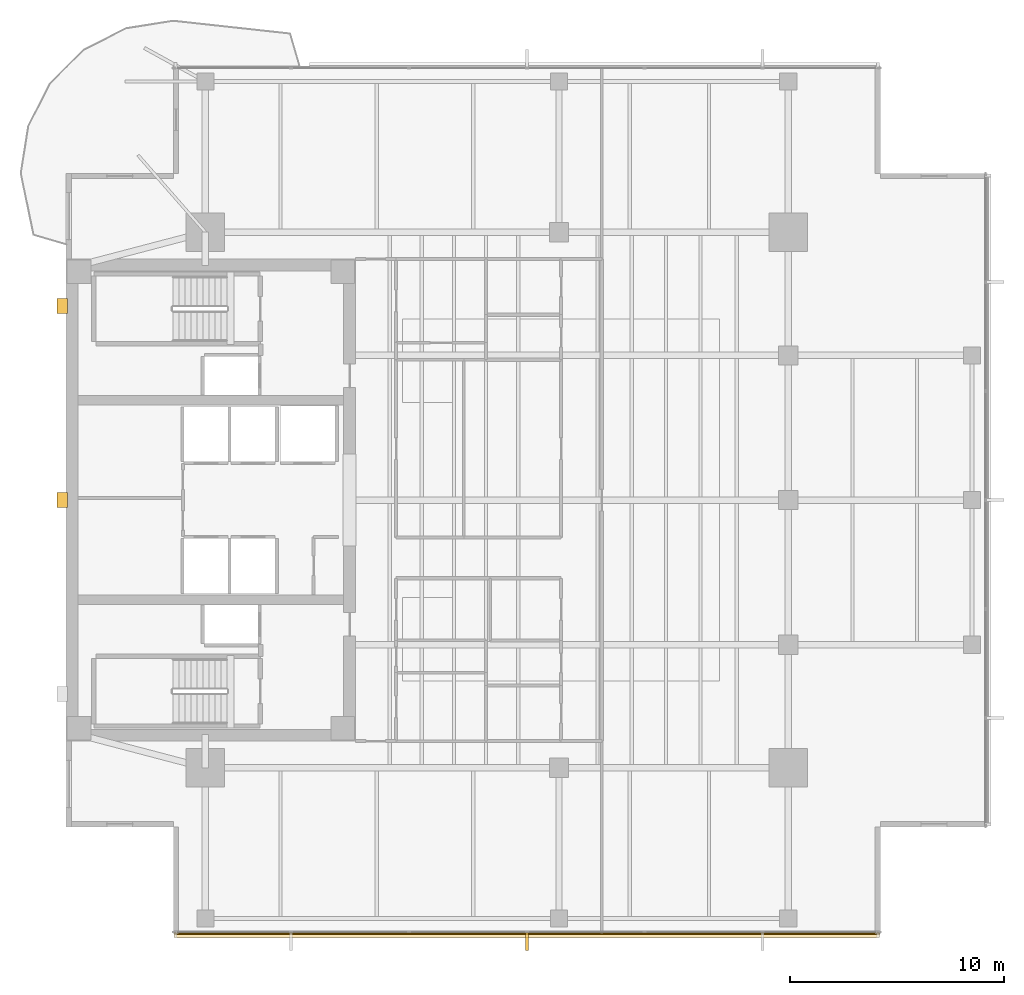
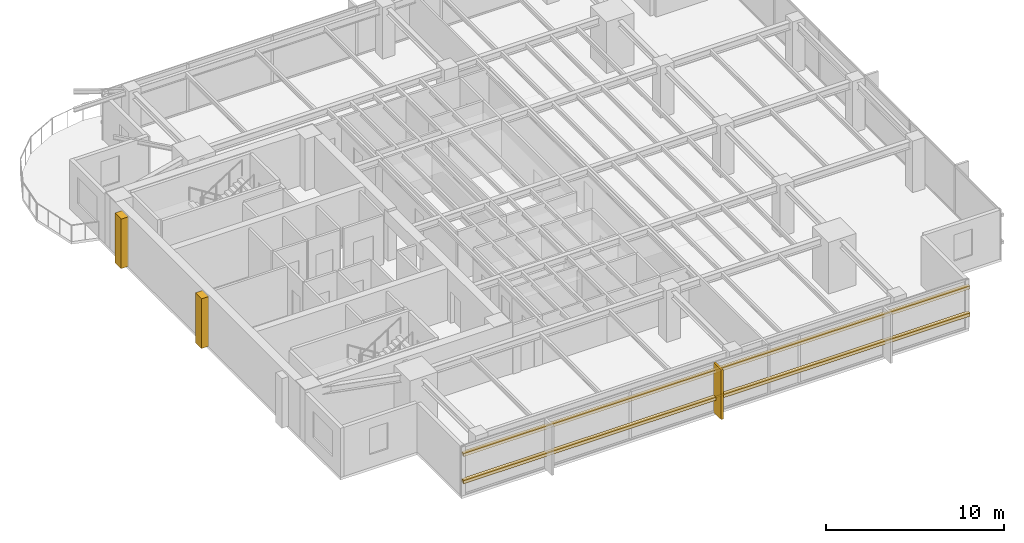
# One storey, part 12 of 14: 5 coverings, 2 shading devices.
"""IFC4 building model written with IfcOpenShell, lengths in metres."""

from ifc_helpers import new_model, si_unit, direction, frame, origin, origin_2d, place, context, subcontext, project, spatial, polyline, rectangle, outline, extrude, material, layer, layer_set, material_profile, profile_set, type_object, element, save


model = new_model("IFC4")

# Units and contexts
model_context = context("Model", 3, precision=1e-05, world=origin(), true_north=direction((0.0, 1.0)))
body_context = subcontext(model_context, "Body", "Model", "MODEL_VIEW")
ifc_project = project(units=[si_unit("LENGTHUNIT", "METRE"), si_unit("AREAUNIT", "SQUARE_METRE"), si_unit("VOLUMEUNIT", "CUBIC_METRE"), si_unit("PLANEANGLEUNIT", "RADIAN"), si_unit("MASSUNIT", "GRAM", prefix="KILO")], contexts=[model_context])

# Site, building, storey
site_placement = place(None, origin())
site = spatial("IfcSite", under=ifc_project, at=site_placement, CompositionType="ELEMENT")
building_placement = place(site_placement, origin())
building = spatial("IfcBuilding", under=site, at=building_placement, Name="Kinhvarn Gate Tower", CompositionType="ELEMENT")
storey_placement = place(building_placement, frame((0.0, 0.0, 191.60009765625)))
storey = spatial("IfcBuildingStorey", under=building, at=storey_placement, Name="L50", CompositionType="ELEMENT", Elevation=191.60009765625)

# Coverings
ifc_material_1 = material(Name="Fired architectural terracotta", Category="masonry")
ifc_layer_1 = layer(ifc_material_1, 0.239990234375)
ifc_layer_set_1 = layer_set([ifc_layer_1], Name="Fired architectural terracotta")
covering_type_1 = type_object("IfcCoveringType", Name="COV-BAG-220", PredefinedType="CLADDING", material=ifc_layer_set_1)
for number, where, name in (
    (1, (0.0, 0.0, 0.93994140625), "Terracotta Horizontal Sunscreen Band TBG-220 (L50)"),
    (2, (0.0, 0.0, 2.809814453125), "Terracotta Horizontal Sunscreen Band TBG-220 (L50)"),
):
    element("IfcCovering", number, at=place(storey_placement, frame(where)), inside=storey, type_object=covering_type_1, Name=name, PredefinedType="CLADDING", context=body_context, shape_type="SweptSolid", body=[
        extrude(outline(polyline([(9.5400390625, 5.070068359375), (42.4599609375, 5.070068359375), (42.4599609375, 4.830078125), (9.5400390625, 4.830078125), (9.5400390625, 5.070068359375)])), origin(), (0.0, 0.0, 1.0), 0.219970703125),
    ])
ifc_layer_2 = layer(ifc_material_1, 0.139892578125)
ifc_layer_set_2 = layer_set([ifc_layer_2], Name="Fired architectural terracotta")
covering_type_2 = type_object("IfcCoveringType", Name="COV-FIN-850", PredefinedType="CLADDING", material=ifc_layer_set_2)
covering_1_placement = place(storey_placement, frame((0.0, 0.0, -0.02001953125)))
element("IfcCovering", 3, at=covering_1_placement, inside=storey, type_object=covering_type_2, Name="Vertical Terracotta Expressive Fin TFN-850 (L50)", PredefinedType="CLADDING", context=body_context, shape_type="SweptSolid", body=[
    extrude(outline(polyline([(25.929931640625, 5.080078125), (26.070068359375, 5.080078125), (26.070068359375, 4.22998046875), (25.929931640625, 4.22998046875), (25.929931640625, 5.080078125)])), origin(), (0.0, 0.0, 1.0), 3.409912109375),
])
ifc_material_2 = material(Name="Precast white architectural concrete C40/50", Category="concrete")
ifc_layer_3 = layer(ifc_material_2, 0.47998046875)
ifc_layer_set_3 = layer_set([ifc_layer_3], Name="Precast white architectural concrete C40/50")
covering_type_3 = type_object("IfcCoveringType", Name="COV-RIB-450", PredefinedType="CLADDING", material=ifc_layer_set_3)
covering_2_placement = place(storey_placement, frame((0.0, 0.0, -0.02001953125)))
element("IfcCovering", 4, at=covering_2_placement, inside=storey, type_object=covering_type_3, Name="West Core Sculptural Concrete Relief Rib CRB-450 (L50)", PredefinedType="CLADDING", context=body_context, shape_type="SweptSolid", body=[
    extrude(outline(polyline([(4.080078125, 24.89990234375), (4.56005859375, 24.89990234375), (4.56005859375, 25.60009765625), (4.080078125, 25.60009765625), (4.080078125, 24.89990234375)])), origin(), (0.0, 0.0, 1.0), 3.409912109375),
])
covering_3_placement = place(storey_placement, frame((0.0, 0.0, -0.02001953125)))
element("IfcCovering", 5, at=covering_3_placement, inside=storey, type_object=covering_type_3, Name="West Core Sculptural Concrete Relief Rib CRB-450 (L50)", PredefinedType="CLADDING", context=body_context, shape_type="SweptSolid", body=[
    extrude(outline(polyline([(4.080078125, 33.949951171875), (4.56005859375, 33.949951171875), (4.56005859375, 34.64990234375), (4.080078125, 34.64990234375), (4.080078125, 33.949951171875)])), origin(), (0.0, 0.0, 1.0), 3.409912109375),
])

# Shading devices
ifc_material_profile = material_profile(ifc_material_1, rectangle(XDim=0.050048828125, YDim=0.1201171875, at=origin_2d()), Name="TC 50x120")
ifc_profile_set = profile_set([ifc_material_profile], Name="Fired architectural terracotta")
shading_device_type = type_object("IfcShadingDeviceType", Name="SHD-BAG-140", PredefinedType="USERDEFINED", material=ifc_profile_set)
for number, where, z_axis, x_axis, name in (
    (6, (9.5400390625, 5.0, 1.0498046875), (1.0, 0.0, 0.0), (0.0, 1.0, 0.0), "Upper Tower Terracotta Baguette Screen Rod 50x120 mm (L50)"),
    (7, (9.5400390625, 5.0, 2.919921875), (1.0, 0.0, 0.0), (0.0, 1.0, 0.0), "Upper Tower Terracotta Baguette Screen Rod 50x120 mm (L50)"),
):
    element("IfcShadingDevice", number, at=place(storey_placement, frame(where, z_axis=z_axis, x_axis=x_axis)), inside=storey, type_object=shading_device_type, Name=name, ObjectType="BAGUETTE", PredefinedType="USERDEFINED", context=body_context, shape_type="SweptSolid", body=[
        extrude(rectangle(XDim=0.050048828125, YDim=0.1201171875, at=origin_2d()), origin(), (0.0, 0.0, 1.0), 32.919921875),
    ])

save(model, "model.ifc")
